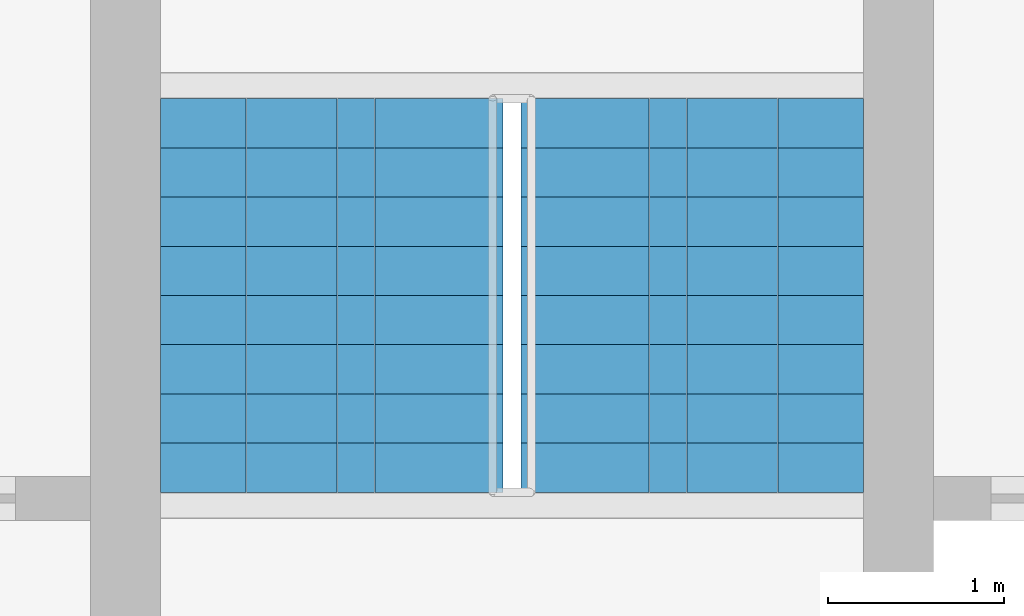
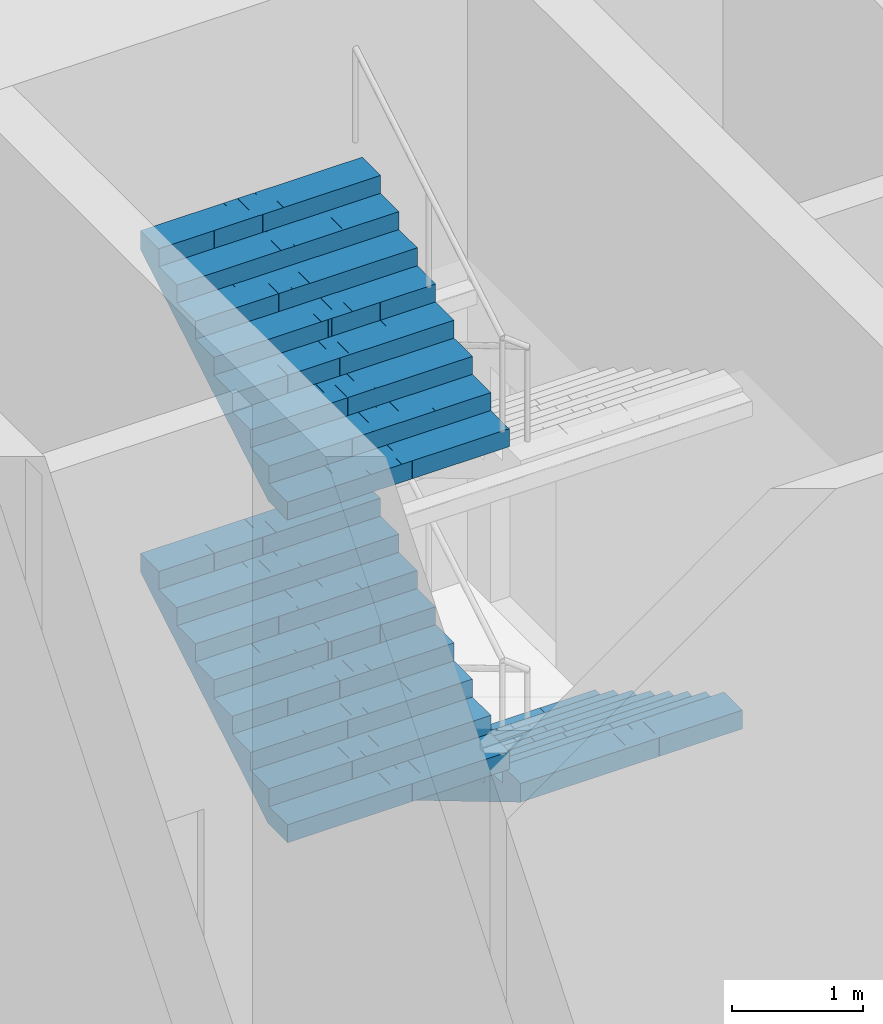
# One storey, part 17 of 19: 3 stair flights, 1 element without a shape of its own.
"""IFC4 building model written with IfcOpenShell, lengths in metres."""

from ifc_helpers import new_model, si_unit, direction, frame, origin, place, context, subcontext, project, spatial, polyline, outline, extrude, material, type_object, element, aggregate, save


model = new_model("IFC4")

# Units and contexts
model_context = context("Model", 3, precision=1e-05, world=origin(), true_north=direction((0.0, 1.0)))
body_context = subcontext(model_context, "Body", "Model", "MODEL_VIEW")
ifc_project = project(units=[si_unit("LENGTHUNIT", "METRE"), si_unit("AREAUNIT", "SQUARE_METRE"), si_unit("VOLUMEUNIT", "CUBIC_METRE"), si_unit("PLANEANGLEUNIT", "RADIAN"), si_unit("MASSUNIT", "GRAM", prefix="KILO")], contexts=[model_context])

# Site, building, storey
site_placement = place(None, origin())
site = spatial("IfcSite", under=ifc_project, at=site_placement, CompositionType="ELEMENT")
building_placement = place(site_placement, origin())
building = spatial("IfcBuilding", under=site, at=building_placement, Name="Mizan Broadcast Tower", CompositionType="ELEMENT")
storey_placement = place(building_placement, frame((0.0, 0.0, 37.5)))
storey = spatial("IfcBuildingStorey", under=building, at=storey_placement, Name="L06", CompositionType="ELEMENT", Elevation=37.5)

# Stair, stair flights
ifc_material_1 = material(Name="Concrete C40/50", Category="concrete")
stair_type = type_object("IfcStairType", Name="EXIT STAIR", PredefinedType="HALF_TURN_STAIR", material=ifc_material_1)
stair_placement = place(storey_placement, origin())
stair = element("IfcStair", 1, at=stair_placement, inside=storey, type_object=stair_type, Name="Stair B L06", PredefinedType="HALF_TURN_STAIR")
ifc_material_2 = material(Name="Concrete C40/50", Category="concrete")
stair_flight_type = type_object("IfcStairFlightType", Name="EXIT STAIR FLIGHT", PredefinedType="STRAIGHT", material=ifc_material_2)
stair_flight_1_placement = place(storey_placement, frame((1.02490234375, 7.89990234375, 0.0), z_axis=(0.0, 0.0, 1.0), x_axis=(0.0, -1.0, 0.0)))
stair_flight_1 = element("IfcStairFlight", 2, at=stair_flight_1_placement, type_object=stair_flight_type, Name="B flight 1", NumberOfRisers=9, NumberOfTreads=8, PredefinedType="STRAIGHT", RiserHeight=0.166666667, TreadLength=0.28, context=body_context, shape_type="SweptSolid", body=[
    extrude(outline(polyline([(0.0, 0.0), (0.0, 0.166748046875), (0.280029296875, 0.166748046875), (0.280029296875, 0.333251953125), (0.56005859375, 0.333251953125), (0.56005859375, 0.5), (0.840087890625, 0.5), (0.840087890625, 0.666748046875), (1.1201171875, 0.666748046875), (1.1201171875, 0.833251953125), (1.39990234375, 0.833251953125), (1.39990234375, 1.0), (1.679931640625, 1.0), (1.679931640625, 1.166748046875), (1.9599609375, 1.166748046875), (1.9599609375, 1.333251953125), (2.239990234375, 1.333251953125), (2.239990234375, 1.5), (2.239990234375, 1.158935546875), (0.29296875, 0.0), (0.0, 0.0)])), frame((0.0, 0.97509765625, 0.0), z_axis=(0.0, -1.0, 0.0), x_axis=(1.0, 0.0, 0.0)), (0.0, 0.0, 1.0), 0.4873046875),
    extrude(outline(polyline([(0.0, 0.0), (0.0, 0.166748046875), (0.280029296875, 0.166748046875), (0.280029296875, 0.333251953125), (0.56005859375, 0.333251953125), (0.56005859375, 0.5), (0.840087890625, 0.5), (0.840087890625, 0.666748046875), (1.1201171875, 0.666748046875), (1.1201171875, 0.833251953125), (1.39990234375, 0.833251953125), (1.39990234375, 1.0), (1.679931640625, 1.0), (1.679931640625, 1.166748046875), (1.9599609375, 1.166748046875), (1.9599609375, 1.333251953125), (2.239990234375, 1.333251953125), (2.239990234375, 1.5), (2.239990234375, 1.158935546875), (0.29296875, 0.0), (0.0, 0.0)])), frame((0.0, 0.4873046875, 0.0), z_axis=(0.0, -1.0, 0.0), x_axis=(1.0, 0.0, 0.0)), (0.0, 0.0, 1.0), 0.2431640625),
    extrude(outline(polyline([(0.0, 0.0), (0.0, 0.166748046875), (0.280029296875, 0.166748046875), (0.280029296875, 0.333251953125), (0.56005859375, 0.333251953125), (0.56005859375, 0.5), (0.840087890625, 0.5), (0.840087890625, 0.666748046875), (1.1201171875, 0.666748046875), (1.1201171875, 0.833251953125), (1.39990234375, 0.833251953125), (1.39990234375, 1.0), (1.679931640625, 1.0), (1.679931640625, 1.166748046875), (1.9599609375, 1.166748046875), (1.9599609375, 1.333251953125), (2.239990234375, 1.333251953125), (2.239990234375, 1.5), (2.239990234375, 1.158935546875), (0.29296875, 0.0), (0.0, 0.0)])), frame((0.0, 0.24365234375, 0.0), z_axis=(0.0, -1.0, 0.0), x_axis=(1.0, 0.0, 0.0)), (0.0, 0.0, 1.0), 0.121337890625),
    extrude(outline(polyline([(0.0, 0.0), (0.0, 0.166748046875), (0.280029296875, 0.166748046875), (0.280029296875, 0.333251953125), (0.56005859375, 0.333251953125), (0.56005859375, 0.5), (0.840087890625, 0.5), (0.840087890625, 0.666748046875), (1.1201171875, 0.666748046875), (1.1201171875, 0.833251953125), (1.39990234375, 0.833251953125), (1.39990234375, 1.0), (1.679931640625, 1.0), (1.679931640625, 1.166748046875), (1.9599609375, 1.166748046875), (1.9599609375, 1.333251953125), (2.239990234375, 1.333251953125), (2.239990234375, 1.5), (2.239990234375, 1.158935546875), (0.29296875, 0.0), (0.0, 0.0)])), frame((0.0, 0.121826171875, 0.0), z_axis=(0.0, -1.0, 0.0), x_axis=(1.0, 0.0, 0.0)), (0.0, 0.0, 1.0), 0.060546875),
    extrude(outline(polyline([(0.0, 0.0), (0.0, 0.166748046875), (0.280029296875, 0.166748046875), (0.280029296875, 0.333251953125), (0.56005859375, 0.333251953125), (0.56005859375, 0.5), (0.840087890625, 0.5), (0.840087890625, 0.666748046875), (1.1201171875, 0.666748046875), (1.1201171875, 0.833251953125), (1.39990234375, 0.833251953125), (1.39990234375, 1.0), (1.679931640625, 1.0), (1.679931640625, 1.166748046875), (1.9599609375, 1.166748046875), (1.9599609375, 1.333251953125), (2.239990234375, 1.333251953125), (2.239990234375, 1.5), (2.239990234375, 1.158935546875), (0.29296875, 0.0), (0.0, 0.0)])), frame((0.0, 0.060791015625, 0.0), z_axis=(0.0, -1.0, 0.0), x_axis=(1.0, 0.0, 0.0)), (0.0, 0.0, 1.0), 0.030029296875),
    extrude(outline(polyline([(0.0, 0.0), (0.0, 0.166748046875), (0.280029296875, 0.166748046875), (0.280029296875, 0.333251953125), (0.56005859375, 0.333251953125), (0.56005859375, 0.5), (0.840087890625, 0.5), (0.840087890625, 0.666748046875), (1.1201171875, 0.666748046875), (1.1201171875, 0.833251953125), (1.39990234375, 0.833251953125), (1.39990234375, 1.0), (1.679931640625, 1.0), (1.679931640625, 1.166748046875), (1.9599609375, 1.166748046875), (1.9599609375, 1.333251953125), (2.239990234375, 1.333251953125), (2.239990234375, 1.5), (2.239990234375, 1.158935546875), (0.29296875, 0.0), (0.0, 0.0)])), frame((0.0, 0.0302734375, 0.0), z_axis=(0.0, -1.0, 0.0), x_axis=(1.0, 0.0, 0.0)), (0.0, 0.0, 1.0), 0.060302734375),
    extrude(outline(polyline([(0.0, 0.0), (0.0, 0.166748046875), (0.280029296875, 0.166748046875), (0.280029296875, 0.333251953125), (0.56005859375, 0.333251953125), (0.56005859375, 0.5), (0.840087890625, 0.5), (0.840087890625, 0.666748046875), (1.1201171875, 0.666748046875), (1.1201171875, 0.833251953125), (1.39990234375, 0.833251953125), (1.39990234375, 1.0), (1.679931640625, 1.0), (1.679931640625, 1.166748046875), (1.9599609375, 1.166748046875), (1.9599609375, 1.333251953125), (2.239990234375, 1.333251953125), (2.239990234375, 1.5), (2.239990234375, 1.158935546875), (0.29296875, 0.0), (0.0, 0.0)])), frame((0.0, -0.030517578125, 0.0), z_axis=(0.0, -1.0, 0.0), x_axis=(1.0, 0.0, 0.0)), (0.0, 0.0, 1.0), 0.030029296875),
    extrude(outline(polyline([(0.0, 0.0), (0.0, 0.166748046875), (0.280029296875, 0.166748046875), (0.280029296875, 0.333251953125), (0.56005859375, 0.333251953125), (0.56005859375, 0.5), (0.840087890625, 0.5), (0.840087890625, 0.666748046875), (1.1201171875, 0.666748046875), (1.1201171875, 0.833251953125), (1.39990234375, 0.833251953125), (1.39990234375, 1.0), (1.679931640625, 1.0), (1.679931640625, 1.166748046875), (1.9599609375, 1.166748046875), (1.9599609375, 1.333251953125), (2.239990234375, 1.333251953125), (2.239990234375, 1.5), (2.239990234375, 1.158935546875), (0.29296875, 0.0), (0.0, 0.0)])), frame((0.0, -0.06103515625, 0.0), z_axis=(0.0, -1.0, 0.0), x_axis=(1.0, 0.0, 0.0)), (0.0, 0.0, 1.0), 0.060546875),
    extrude(outline(polyline([(0.0, 0.0), (0.0, 0.166748046875), (0.280029296875, 0.166748046875), (0.280029296875, 0.333251953125), (0.56005859375, 0.333251953125), (0.56005859375, 0.5), (0.840087890625, 0.5), (0.840087890625, 0.666748046875), (1.1201171875, 0.666748046875), (1.1201171875, 0.833251953125), (1.39990234375, 0.833251953125), (1.39990234375, 1.0), (1.679931640625, 1.0), (1.679931640625, 1.166748046875), (1.9599609375, 1.166748046875), (1.9599609375, 1.333251953125), (2.239990234375, 1.333251953125), (2.239990234375, 1.5), (2.239990234375, 1.158935546875), (0.29296875, 0.0), (0.0, 0.0)])), frame((0.0, -0.1220703125, 0.0), z_axis=(0.0, -1.0, 0.0), x_axis=(1.0, 0.0, 0.0)), (0.0, 0.0, 1.0), 0.121337890625),
    extrude(outline(polyline([(0.0, 0.0), (0.0, 0.166748046875), (0.280029296875, 0.166748046875), (0.280029296875, 0.333251953125), (0.56005859375, 0.333251953125), (0.56005859375, 0.5), (0.840087890625, 0.5), (0.840087890625, 0.666748046875), (1.1201171875, 0.666748046875), (1.1201171875, 0.833251953125), (1.39990234375, 0.833251953125), (1.39990234375, 1.0), (1.679931640625, 1.0), (1.679931640625, 1.166748046875), (1.9599609375, 1.166748046875), (1.9599609375, 1.333251953125), (2.239990234375, 1.333251953125), (2.239990234375, 1.5), (2.239990234375, 1.158935546875), (0.29296875, 0.0), (0.0, 0.0)])), frame((0.0, -0.243896484375, 0.0), z_axis=(0.0, -1.0, 0.0), x_axis=(1.0, 0.0, 0.0)), (0.0, 0.0, 1.0), 0.2431640625),
    extrude(outline(polyline([(0.0, 0.0), (0.0, 0.166748046875), (0.280029296875, 0.166748046875), (0.280029296875, 0.333251953125), (0.56005859375, 0.333251953125), (0.56005859375, 0.5), (0.840087890625, 0.5), (0.840087890625, 0.666748046875), (1.1201171875, 0.666748046875), (1.1201171875, 0.833251953125), (1.39990234375, 0.833251953125), (1.39990234375, 1.0), (1.679931640625, 1.0), (1.679931640625, 1.166748046875), (1.9599609375, 1.166748046875), (1.9599609375, 1.333251953125), (2.239990234375, 1.333251953125), (2.239990234375, 1.5), (2.239990234375, 1.158935546875), (0.29296875, 0.0), (0.0, 0.0)])), frame((0.0, -0.487548828125, 0.0), z_axis=(0.0, -1.0, 0.0), x_axis=(1.0, 0.0, 0.0)), (0.0, 0.0, 1.0), 0.4873046875),
])
stair_flight_2_placement = place(storey_placement, frame((-1.02490234375, 5.659912109375, 1.5), z_axis=(0.0, 0.0, 1.0), x_axis=(0.0, 1.0, 0.0)))
stair_flight_2 = element("IfcStairFlight", 3, at=stair_flight_2_placement, type_object=stair_flight_type, Name="B flight 2", NumberOfRisers=9, NumberOfTreads=8, PredefinedType="STRAIGHT", RiserHeight=0.166666667, TreadLength=0.28, context=body_context, shape_type="SweptSolid", body=[
    extrude(outline(polyline([(0.0, 0.0), (0.0, 0.166748046875), (0.280029296875, 0.166748046875), (0.280029296875, 0.333251953125), (0.56005859375, 0.333251953125), (0.56005859375, 0.5), (0.840087890625, 0.5), (0.840087890625, 0.666748046875), (1.1201171875, 0.666748046875), (1.1201171875, 0.833251953125), (1.39990234375, 0.833251953125), (1.39990234375, 1.0), (1.679931640625, 1.0), (1.679931640625, 1.166748046875), (1.9599609375, 1.166748046875), (1.9599609375, 1.333251953125), (2.239990234375, 1.333251953125), (2.239990234375, 1.5), (2.239990234375, 1.158935546875), (0.29296875, 0.0), (0.0, 0.0)])), frame((0.0, 0.97509765625, 0.0), z_axis=(0.0, -1.0, 0.0), x_axis=(1.0, 0.0, 0.0)), (0.0, 0.0, 1.0), 0.4873046875),
    extrude(outline(polyline([(0.0, 0.0), (0.0, 0.166748046875), (0.280029296875, 0.166748046875), (0.280029296875, 0.333251953125), (0.56005859375, 0.333251953125), (0.56005859375, 0.5), (0.840087890625, 0.5), (0.840087890625, 0.666748046875), (1.1201171875, 0.666748046875), (1.1201171875, 0.833251953125), (1.39990234375, 0.833251953125), (1.39990234375, 1.0), (1.679931640625, 1.0), (1.679931640625, 1.166748046875), (1.9599609375, 1.166748046875), (1.9599609375, 1.333251953125), (2.239990234375, 1.333251953125), (2.239990234375, 1.5), (2.239990234375, 1.158935546875), (0.29296875, 0.0), (0.0, 0.0)])), frame((0.0, 0.4873046875, 0.0), z_axis=(0.0, -1.0, 0.0), x_axis=(1.0, 0.0, 0.0)), (0.0, 0.0, 1.0), 0.2431640625),
    extrude(outline(polyline([(0.0, 0.0), (0.0, 0.166748046875), (0.280029296875, 0.166748046875), (0.280029296875, 0.333251953125), (0.56005859375, 0.333251953125), (0.56005859375, 0.5), (0.840087890625, 0.5), (0.840087890625, 0.666748046875), (1.1201171875, 0.666748046875), (1.1201171875, 0.833251953125), (1.39990234375, 0.833251953125), (1.39990234375, 1.0), (1.679931640625, 1.0), (1.679931640625, 1.166748046875), (1.9599609375, 1.166748046875), (1.9599609375, 1.333251953125), (2.239990234375, 1.333251953125), (2.239990234375, 1.5), (2.239990234375, 1.158935546875), (0.29296875, 0.0), (0.0, 0.0)])), frame((0.0, 0.24365234375, 0.0), z_axis=(0.0, -1.0, 0.0), x_axis=(1.0, 0.0, 0.0)), (0.0, 0.0, 1.0), 0.121337890625),
    extrude(outline(polyline([(0.0, 0.0), (0.0, 0.166748046875), (0.280029296875, 0.166748046875), (0.280029296875, 0.333251953125), (0.56005859375, 0.333251953125), (0.56005859375, 0.5), (0.840087890625, 0.5), (0.840087890625, 0.666748046875), (1.1201171875, 0.666748046875), (1.1201171875, 0.833251953125), (1.39990234375, 0.833251953125), (1.39990234375, 1.0), (1.679931640625, 1.0), (1.679931640625, 1.166748046875), (1.9599609375, 1.166748046875), (1.9599609375, 1.333251953125), (2.239990234375, 1.333251953125), (2.239990234375, 1.5), (2.239990234375, 1.158935546875), (0.29296875, 0.0), (0.0, 0.0)])), frame((0.0, 0.121826171875, 0.0), z_axis=(0.0, -1.0, 0.0), x_axis=(1.0, 0.0, 0.0)), (0.0, 0.0, 1.0), 0.060546875),
    extrude(outline(polyline([(0.0, 0.0), (0.0, 0.166748046875), (0.280029296875, 0.166748046875), (0.280029296875, 0.333251953125), (0.56005859375, 0.333251953125), (0.56005859375, 0.5), (0.840087890625, 0.5), (0.840087890625, 0.666748046875), (1.1201171875, 0.666748046875), (1.1201171875, 0.833251953125), (1.39990234375, 0.833251953125), (1.39990234375, 1.0), (1.679931640625, 1.0), (1.679931640625, 1.166748046875), (1.9599609375, 1.166748046875), (1.9599609375, 1.333251953125), (2.239990234375, 1.333251953125), (2.239990234375, 1.5), (2.239990234375, 1.158935546875), (0.29296875, 0.0), (0.0, 0.0)])), frame((0.0, 0.060791015625, 0.0), z_axis=(0.0, -1.0, 0.0), x_axis=(1.0, 0.0, 0.0)), (0.0, 0.0, 1.0), 0.030029296875),
    extrude(outline(polyline([(0.0, 0.0), (0.0, 0.166748046875), (0.280029296875, 0.166748046875), (0.280029296875, 0.333251953125), (0.56005859375, 0.333251953125), (0.56005859375, 0.5), (0.840087890625, 0.5), (0.840087890625, 0.666748046875), (1.1201171875, 0.666748046875), (1.1201171875, 0.833251953125), (1.39990234375, 0.833251953125), (1.39990234375, 1.0), (1.679931640625, 1.0), (1.679931640625, 1.166748046875), (1.9599609375, 1.166748046875), (1.9599609375, 1.333251953125), (2.239990234375, 1.333251953125), (2.239990234375, 1.5), (2.239990234375, 1.158935546875), (0.29296875, 0.0), (0.0, 0.0)])), frame((0.0, 0.0302734375, 0.0), z_axis=(0.0, -1.0, 0.0), x_axis=(1.0, 0.0, 0.0)), (0.0, 0.0, 1.0), 0.060302734375),
    extrude(outline(polyline([(0.0, 0.0), (0.0, 0.166748046875), (0.280029296875, 0.166748046875), (0.280029296875, 0.333251953125), (0.56005859375, 0.333251953125), (0.56005859375, 0.5), (0.840087890625, 0.5), (0.840087890625, 0.666748046875), (1.1201171875, 0.666748046875), (1.1201171875, 0.833251953125), (1.39990234375, 0.833251953125), (1.39990234375, 1.0), (1.679931640625, 1.0), (1.679931640625, 1.166748046875), (1.9599609375, 1.166748046875), (1.9599609375, 1.333251953125), (2.239990234375, 1.333251953125), (2.239990234375, 1.5), (2.239990234375, 1.158935546875), (0.29296875, 0.0), (0.0, 0.0)])), frame((0.0, -0.030517578125, 0.0), z_axis=(0.0, -1.0, 0.0), x_axis=(1.0, 0.0, 0.0)), (0.0, 0.0, 1.0), 0.030029296875),
    extrude(outline(polyline([(0.0, 0.0), (0.0, 0.166748046875), (0.280029296875, 0.166748046875), (0.280029296875, 0.333251953125), (0.56005859375, 0.333251953125), (0.56005859375, 0.5), (0.840087890625, 0.5), (0.840087890625, 0.666748046875), (1.1201171875, 0.666748046875), (1.1201171875, 0.833251953125), (1.39990234375, 0.833251953125), (1.39990234375, 1.0), (1.679931640625, 1.0), (1.679931640625, 1.166748046875), (1.9599609375, 1.166748046875), (1.9599609375, 1.333251953125), (2.239990234375, 1.333251953125), (2.239990234375, 1.5), (2.239990234375, 1.158935546875), (0.29296875, 0.0), (0.0, 0.0)])), frame((0.0, -0.06103515625, 0.0), z_axis=(0.0, -1.0, 0.0), x_axis=(1.0, 0.0, 0.0)), (0.0, 0.0, 1.0), 0.060546875),
    extrude(outline(polyline([(0.0, 0.0), (0.0, 0.166748046875), (0.280029296875, 0.166748046875), (0.280029296875, 0.333251953125), (0.56005859375, 0.333251953125), (0.56005859375, 0.5), (0.840087890625, 0.5), (0.840087890625, 0.666748046875), (1.1201171875, 0.666748046875), (1.1201171875, 0.833251953125), (1.39990234375, 0.833251953125), (1.39990234375, 1.0), (1.679931640625, 1.0), (1.679931640625, 1.166748046875), (1.9599609375, 1.166748046875), (1.9599609375, 1.333251953125), (2.239990234375, 1.333251953125), (2.239990234375, 1.5), (2.239990234375, 1.158935546875), (0.29296875, 0.0), (0.0, 0.0)])), frame((0.0, -0.1220703125, 0.0), z_axis=(0.0, -1.0, 0.0), x_axis=(1.0, 0.0, 0.0)), (0.0, 0.0, 1.0), 0.121337890625),
    extrude(outline(polyline([(0.0, 0.0), (0.0, 0.166748046875), (0.280029296875, 0.166748046875), (0.280029296875, 0.333251953125), (0.56005859375, 0.333251953125), (0.56005859375, 0.5), (0.840087890625, 0.5), (0.840087890625, 0.666748046875), (1.1201171875, 0.666748046875), (1.1201171875, 0.833251953125), (1.39990234375, 0.833251953125), (1.39990234375, 1.0), (1.679931640625, 1.0), (1.679931640625, 1.166748046875), (1.9599609375, 1.166748046875), (1.9599609375, 1.333251953125), (2.239990234375, 1.333251953125), (2.239990234375, 1.5), (2.239990234375, 1.158935546875), (0.29296875, 0.0), (0.0, 0.0)])), frame((0.0, -0.243896484375, 0.0), z_axis=(0.0, -1.0, 0.0), x_axis=(1.0, 0.0, 0.0)), (0.0, 0.0, 1.0), 0.2431640625),
    extrude(outline(polyline([(0.0, 0.0), (0.0, 0.166748046875), (0.280029296875, 0.166748046875), (0.280029296875, 0.333251953125), (0.56005859375, 0.333251953125), (0.56005859375, 0.5), (0.840087890625, 0.5), (0.840087890625, 0.666748046875), (1.1201171875, 0.666748046875), (1.1201171875, 0.833251953125), (1.39990234375, 0.833251953125), (1.39990234375, 1.0), (1.679931640625, 1.0), (1.679931640625, 1.166748046875), (1.9599609375, 1.166748046875), (1.9599609375, 1.333251953125), (2.239990234375, 1.333251953125), (2.239990234375, 1.5), (2.239990234375, 1.158935546875), (0.29296875, 0.0), (0.0, 0.0)])), frame((0.0, -0.487548828125, 0.0), z_axis=(0.0, -1.0, 0.0), x_axis=(1.0, 0.0, 0.0)), (0.0, 0.0, 1.0), 0.4873046875),
])
stair_flight_3_placement = place(storey_placement, frame((-1.02490234375, 5.659912109375, 4.5), z_axis=(0.0, 0.0, 1.0), x_axis=(0.0, 1.0, 0.0)))
stair_flight_3 = element("IfcStairFlight", 4, at=stair_flight_3_placement, type_object=stair_flight_type, Name="B flight 4", NumberOfRisers=9, NumberOfTreads=8, PredefinedType="STRAIGHT", RiserHeight=0.166666667, TreadLength=0.28, context=body_context, shape_type="SweptSolid", body=[
    extrude(outline(polyline([(0.0, 0.0), (0.0, 0.166748046875), (0.280029296875, 0.166748046875), (0.280029296875, 0.333251953125), (0.56005859375, 0.333251953125), (0.56005859375, 0.5), (0.840087890625, 0.5), (0.840087890625, 0.666748046875), (1.1201171875, 0.666748046875), (1.1201171875, 0.833251953125), (1.39990234375, 0.833251953125), (1.39990234375, 1.0), (1.679931640625, 1.0), (1.679931640625, 1.166748046875), (1.9599609375, 1.166748046875), (1.9599609375, 1.333251953125), (2.239990234375, 1.333251953125), (2.239990234375, 1.5), (2.239990234375, 1.158935546875), (0.29296875, 0.0), (0.0, 0.0)])), frame((0.0, 0.97509765625, 0.0), z_axis=(0.0, -1.0, 0.0), x_axis=(1.0, 0.0, 0.0)), (0.0, 0.0, 1.0), 0.4873046875),
    extrude(outline(polyline([(0.0, 0.0), (0.0, 0.166748046875), (0.280029296875, 0.166748046875), (0.280029296875, 0.333251953125), (0.56005859375, 0.333251953125), (0.56005859375, 0.5), (0.840087890625, 0.5), (0.840087890625, 0.666748046875), (1.1201171875, 0.666748046875), (1.1201171875, 0.833251953125), (1.39990234375, 0.833251953125), (1.39990234375, 1.0), (1.679931640625, 1.0), (1.679931640625, 1.166748046875), (1.9599609375, 1.166748046875), (1.9599609375, 1.333251953125), (2.239990234375, 1.333251953125), (2.239990234375, 1.5), (2.239990234375, 1.158935546875), (0.29296875, 0.0), (0.0, 0.0)])), frame((0.0, 0.4873046875, 0.0), z_axis=(0.0, -1.0, 0.0), x_axis=(1.0, 0.0, 0.0)), (0.0, 0.0, 1.0), 0.2431640625),
    extrude(outline(polyline([(0.0, 0.0), (0.0, 0.166748046875), (0.280029296875, 0.166748046875), (0.280029296875, 0.333251953125), (0.56005859375, 0.333251953125), (0.56005859375, 0.5), (0.840087890625, 0.5), (0.840087890625, 0.666748046875), (1.1201171875, 0.666748046875), (1.1201171875, 0.833251953125), (1.39990234375, 0.833251953125), (1.39990234375, 1.0), (1.679931640625, 1.0), (1.679931640625, 1.166748046875), (1.9599609375, 1.166748046875), (1.9599609375, 1.333251953125), (2.239990234375, 1.333251953125), (2.239990234375, 1.5), (2.239990234375, 1.158935546875), (0.29296875, 0.0), (0.0, 0.0)])), frame((0.0, 0.24365234375, 0.0), z_axis=(0.0, -1.0, 0.0), x_axis=(1.0, 0.0, 0.0)), (0.0, 0.0, 1.0), 0.121337890625),
    extrude(outline(polyline([(0.0, 0.0), (0.0, 0.166748046875), (0.280029296875, 0.166748046875), (0.280029296875, 0.333251953125), (0.56005859375, 0.333251953125), (0.56005859375, 0.5), (0.840087890625, 0.5), (0.840087890625, 0.666748046875), (1.1201171875, 0.666748046875), (1.1201171875, 0.833251953125), (1.39990234375, 0.833251953125), (1.39990234375, 1.0), (1.679931640625, 1.0), (1.679931640625, 1.166748046875), (1.9599609375, 1.166748046875), (1.9599609375, 1.333251953125), (2.239990234375, 1.333251953125), (2.239990234375, 1.5), (2.239990234375, 1.158935546875), (0.29296875, 0.0), (0.0, 0.0)])), frame((0.0, 0.121826171875, 0.0), z_axis=(0.0, -1.0, 0.0), x_axis=(1.0, 0.0, 0.0)), (0.0, 0.0, 1.0), 0.060546875),
    extrude(outline(polyline([(0.0, 0.0), (0.0, 0.166748046875), (0.280029296875, 0.166748046875), (0.280029296875, 0.333251953125), (0.56005859375, 0.333251953125), (0.56005859375, 0.5), (0.840087890625, 0.5), (0.840087890625, 0.666748046875), (1.1201171875, 0.666748046875), (1.1201171875, 0.833251953125), (1.39990234375, 0.833251953125), (1.39990234375, 1.0), (1.679931640625, 1.0), (1.679931640625, 1.166748046875), (1.9599609375, 1.166748046875), (1.9599609375, 1.333251953125), (2.239990234375, 1.333251953125), (2.239990234375, 1.5), (2.239990234375, 1.158935546875), (0.29296875, 0.0), (0.0, 0.0)])), frame((0.0, 0.060791015625, 0.0), z_axis=(0.0, -1.0, 0.0), x_axis=(1.0, 0.0, 0.0)), (0.0, 0.0, 1.0), 0.030029296875),
    extrude(outline(polyline([(0.0, 0.0), (0.0, 0.166748046875), (0.280029296875, 0.166748046875), (0.280029296875, 0.333251953125), (0.56005859375, 0.333251953125), (0.56005859375, 0.5), (0.840087890625, 0.5), (0.840087890625, 0.666748046875), (1.1201171875, 0.666748046875), (1.1201171875, 0.833251953125), (1.39990234375, 0.833251953125), (1.39990234375, 1.0), (1.679931640625, 1.0), (1.679931640625, 1.166748046875), (1.9599609375, 1.166748046875), (1.9599609375, 1.333251953125), (2.239990234375, 1.333251953125), (2.239990234375, 1.5), (2.239990234375, 1.158935546875), (0.29296875, 0.0), (0.0, 0.0)])), frame((0.0, 0.0302734375, 0.0), z_axis=(0.0, -1.0, 0.0), x_axis=(1.0, 0.0, 0.0)), (0.0, 0.0, 1.0), 0.060302734375),
    extrude(outline(polyline([(0.0, 0.0), (0.0, 0.166748046875), (0.280029296875, 0.166748046875), (0.280029296875, 0.333251953125), (0.56005859375, 0.333251953125), (0.56005859375, 0.5), (0.840087890625, 0.5), (0.840087890625, 0.666748046875), (1.1201171875, 0.666748046875), (1.1201171875, 0.833251953125), (1.39990234375, 0.833251953125), (1.39990234375, 1.0), (1.679931640625, 1.0), (1.679931640625, 1.166748046875), (1.9599609375, 1.166748046875), (1.9599609375, 1.333251953125), (2.239990234375, 1.333251953125), (2.239990234375, 1.5), (2.239990234375, 1.158935546875), (0.29296875, 0.0), (0.0, 0.0)])), frame((0.0, -0.030517578125, 0.0), z_axis=(0.0, -1.0, 0.0), x_axis=(1.0, 0.0, 0.0)), (0.0, 0.0, 1.0), 0.030029296875),
    extrude(outline(polyline([(0.0, 0.0), (0.0, 0.166748046875), (0.280029296875, 0.166748046875), (0.280029296875, 0.333251953125), (0.56005859375, 0.333251953125), (0.56005859375, 0.5), (0.840087890625, 0.5), (0.840087890625, 0.666748046875), (1.1201171875, 0.666748046875), (1.1201171875, 0.833251953125), (1.39990234375, 0.833251953125), (1.39990234375, 1.0), (1.679931640625, 1.0), (1.679931640625, 1.166748046875), (1.9599609375, 1.166748046875), (1.9599609375, 1.333251953125), (2.239990234375, 1.333251953125), (2.239990234375, 1.5), (2.239990234375, 1.158935546875), (0.29296875, 0.0), (0.0, 0.0)])), frame((0.0, -0.06103515625, 0.0), z_axis=(0.0, -1.0, 0.0), x_axis=(1.0, 0.0, 0.0)), (0.0, 0.0, 1.0), 0.060546875),
    extrude(outline(polyline([(0.0, 0.0), (0.0, 0.166748046875), (0.280029296875, 0.166748046875), (0.280029296875, 0.333251953125), (0.56005859375, 0.333251953125), (0.56005859375, 0.5), (0.840087890625, 0.5), (0.840087890625, 0.666748046875), (1.1201171875, 0.666748046875), (1.1201171875, 0.833251953125), (1.39990234375, 0.833251953125), (1.39990234375, 1.0), (1.679931640625, 1.0), (1.679931640625, 1.166748046875), (1.9599609375, 1.166748046875), (1.9599609375, 1.333251953125), (2.239990234375, 1.333251953125), (2.239990234375, 1.5), (2.239990234375, 1.158935546875), (0.29296875, 0.0), (0.0, 0.0)])), frame((0.0, -0.1220703125, 0.0), z_axis=(0.0, -1.0, 0.0), x_axis=(1.0, 0.0, 0.0)), (0.0, 0.0, 1.0), 0.121337890625),
    extrude(outline(polyline([(0.0, 0.0), (0.0, 0.166748046875), (0.280029296875, 0.166748046875), (0.280029296875, 0.333251953125), (0.56005859375, 0.333251953125), (0.56005859375, 0.5), (0.840087890625, 0.5), (0.840087890625, 0.666748046875), (1.1201171875, 0.666748046875), (1.1201171875, 0.833251953125), (1.39990234375, 0.833251953125), (1.39990234375, 1.0), (1.679931640625, 1.0), (1.679931640625, 1.166748046875), (1.9599609375, 1.166748046875), (1.9599609375, 1.333251953125), (2.239990234375, 1.333251953125), (2.239990234375, 1.5), (2.239990234375, 1.158935546875), (0.29296875, 0.0), (0.0, 0.0)])), frame((0.0, -0.243896484375, 0.0), z_axis=(0.0, -1.0, 0.0), x_axis=(1.0, 0.0, 0.0)), (0.0, 0.0, 1.0), 0.2431640625),
    extrude(outline(polyline([(0.0, 0.0), (0.0, 0.166748046875), (0.280029296875, 0.166748046875), (0.280029296875, 0.333251953125), (0.56005859375, 0.333251953125), (0.56005859375, 0.5), (0.840087890625, 0.5), (0.840087890625, 0.666748046875), (1.1201171875, 0.666748046875), (1.1201171875, 0.833251953125), (1.39990234375, 0.833251953125), (1.39990234375, 1.0), (1.679931640625, 1.0), (1.679931640625, 1.166748046875), (1.9599609375, 1.166748046875), (1.9599609375, 1.333251953125), (2.239990234375, 1.333251953125), (2.239990234375, 1.5), (2.239990234375, 1.158935546875), (0.29296875, 0.0), (0.0, 0.0)])), frame((0.0, -0.487548828125, 0.0), z_axis=(0.0, -1.0, 0.0), x_axis=(1.0, 0.0, 0.0)), (0.0, 0.0, 1.0), 0.4873046875),
])
aggregate(stair, [stair_flight_1, stair_flight_2, stair_flight_3])

save(model, "model.ifc")
